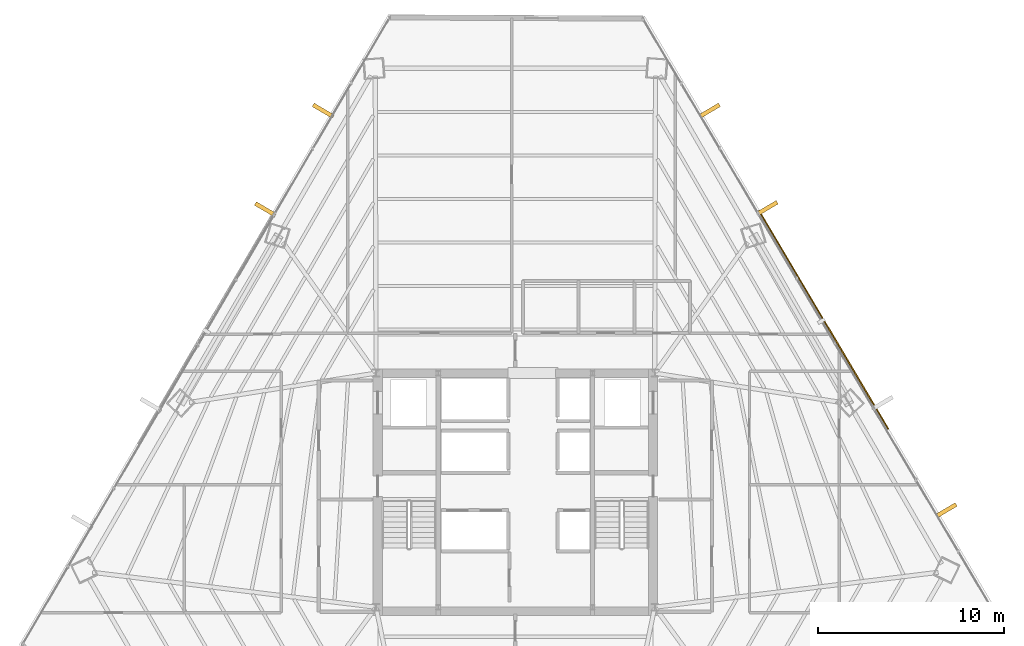
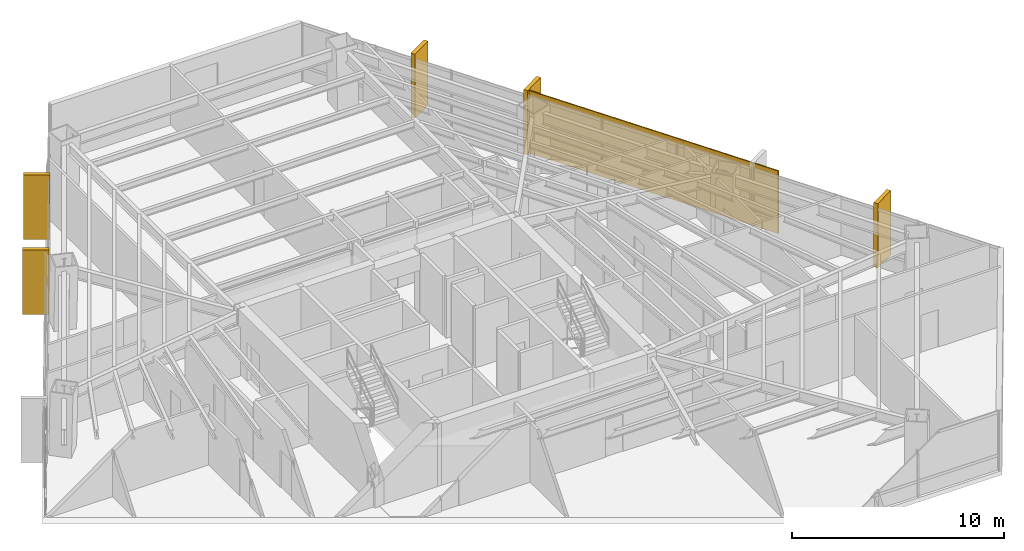
# One storey, part 35 of 35: 5 coverings, 1 shading device.
"""IFC4 building model written with IfcOpenShell, lengths in metres."""

from ifc_helpers import new_model, si_unit, direction, frame, origin, origin_2d, place, context, subcontext, project, spatial, rectangle, extrude, source, transform, mapped, material, layer, layer_set, type_object, type_shapes, element, save


model = new_model("IFC4")

# Units and contexts
model_context = context("Model", 3, precision=1e-05, world=origin(), true_north=direction((0.0, 1.0)))
body_context = subcontext(model_context, "Body", "Model", "MODEL_VIEW")
ifc_project = project(units=[si_unit("LENGTHUNIT", "METRE"), si_unit("AREAUNIT", "SQUARE_METRE"), si_unit("VOLUMEUNIT", "CUBIC_METRE"), si_unit("PLANEANGLEUNIT", "RADIAN"), si_unit("MASSUNIT", "GRAM", prefix="KILO")], contexts=[model_context])

# Site, building, storey
site_placement = place(None, origin())
site = spatial("IfcSite", under=ifc_project, at=site_placement, CompositionType="ELEMENT")
building_placement = place(site_placement, origin())
building = spatial("IfcBuilding", under=site, at=building_placement, Name="Caelisora Broadcast Tower", CompositionType="ELEMENT")
storey_placement = place(building_placement, frame((0.0, 0.0, 98.10009765625)))
storey = spatial("IfcBuildingStorey", under=building, at=storey_placement, Name="L25", CompositionType="ELEMENT", Elevation=98.10009765625)

# Coverings
ifc_material_1 = material(Name="Kiln-Fired Terracotta Spandrel Rainscreen Cladding", Category="ceramic")
ifc_layer_1 = layer(ifc_material_1, 0.044921875, Name="Kiln-Fired Terracotta Spandrel Rainscreen Cladding")
ifc_layer_set_1 = layer_set([ifc_layer_1], Name="Kiln-Fired Terracotta Spandrel Rainscreen Cladding")
covering_type = type_object("IfcCoveringType", Name="CL-1", PredefinedType="CLADDING", material=ifc_layer_set_1)
shared_shape_1 = source(origin(), body_context, "Body", "SweptSolid", [
    extrude(rectangle(XDim=0.219970703125, YDim=1.25, at=origin_2d()), origin(), (0.0, 0.0, 1.0), 3.68994140625),
])
type_shapes(covering_type, [shared_shape_1])
for number, where, z_axis, x_axis, name in (
    (1, (48.44970703125, 44.12451171875, -0.02001953125), (0.0, 0.0, 1.0), (0.509341840379, -0.860564285593, 0.0), "L25 vertical solar fin cladding #1-1"),
    (2, (51.55419921875, 38.879638671875, -0.02001953125), (0.0, 0.0, 1.0), (0.509341840379, -0.860564285593, 0.0), "L25 vertical solar fin cladding #1-2"),
    (3, (61.1845703125, 22.610595703125, -0.02001953125), (0.0, 0.0, 1.0), (0.509341840379, -0.860564285593, 0.0), "L25 vertical solar fin cladding #1-4"),
    (4, (24.544189453125, 38.814453125, -0.02001953125), (0.0, 0.0, 1.0), (0.505431492718, 0.862866737202, 0.0), "L25 vertical solar fin cladding #3-3"),
    (5, (27.653564453125, 44.122314453125, -0.02001953125), (0.0, 0.0, 1.0), (0.505431492718, 0.862866737202, 0.0), "L25 vertical solar fin cladding #3-4"),
):
    element("IfcCovering", number, at=place(storey_placement, frame(where, z_axis=z_axis, x_axis=x_axis)), inside=storey, type_object=covering_type, Name=name, PredefinedType="CLADDING", context=body_context, shape_type="MappedRepresentation", body=[
        mapped(shared_shape_1, transform((0.0, 0.0, 0.0), scale=1.0)),
    ])

# Shading device
ifc_material_2 = material(Name="Perforated Glazed Terracotta Baguette Solar Screen", Category="ceramic")
ifc_layer_2 = layer(ifc_material_2, 0.06494140625, Name="Perforated Glazed Terracotta Baguette Solar Screen")
ifc_layer_set_2 = layer_set([ifc_layer_2], Name="Perforated Glazed Terracotta Baguette Solar Screen")
shading_device_type = type_object("IfcShadingDeviceType", Name="SS-1", PredefinedType="USERDEFINED", material=ifc_layer_set_2)
shared_shape_2 = source(origin(), body_context, "Body", "SweptSolid", [
    extrude(rectangle(XDim=13.676025390625, YDim=0.06494140625, at=origin_2d()), origin(), (0.0, 0.0, 1.0), 3.590087890625),
])
type_shapes(shading_device_type, [shared_shape_2])
shading_device_placement = place(storey_placement, frame((54.589599609375, 32.86865234375, 0.0), z_axis=(0.0, 0.0, 1.0), x_axis=(-0.509341840379, 0.860564285593, 0.0)))
element("IfcShadingDevice", 6, at=shading_device_placement, inside=storey, type_object=shading_device_type, Name="L25 perforated terracotta solar screen #3", ObjectType="SOLAR SCREEN", PredefinedType="USERDEFINED", context=body_context, shape_type="MappedRepresentation", body=[
    mapped(shared_shape_2, transform((0.0, 0.0, 0.0), scale=1.0)),
])

save(model, "model.ifc")
